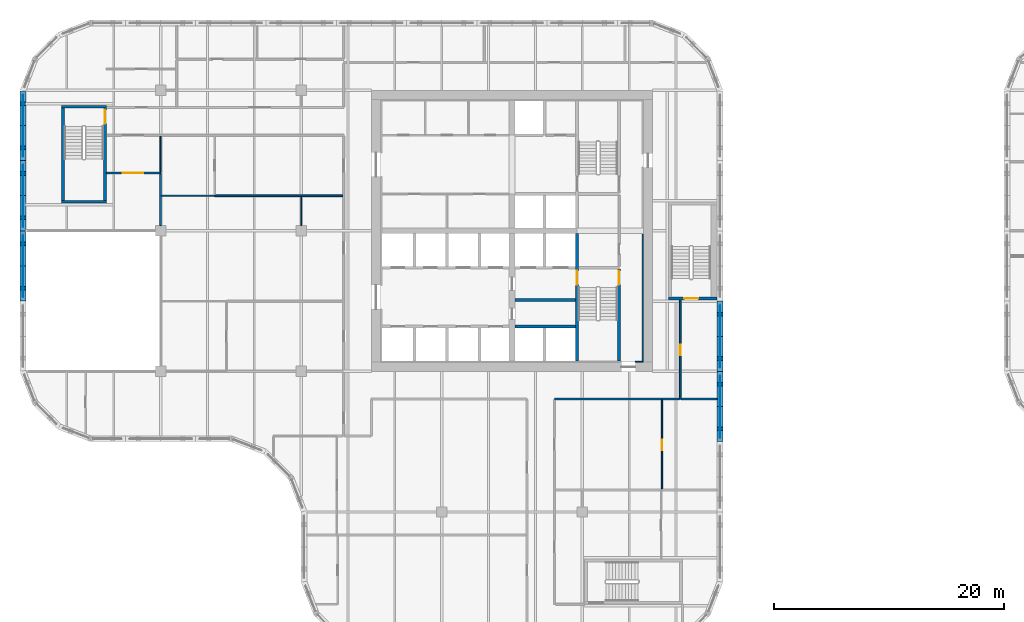
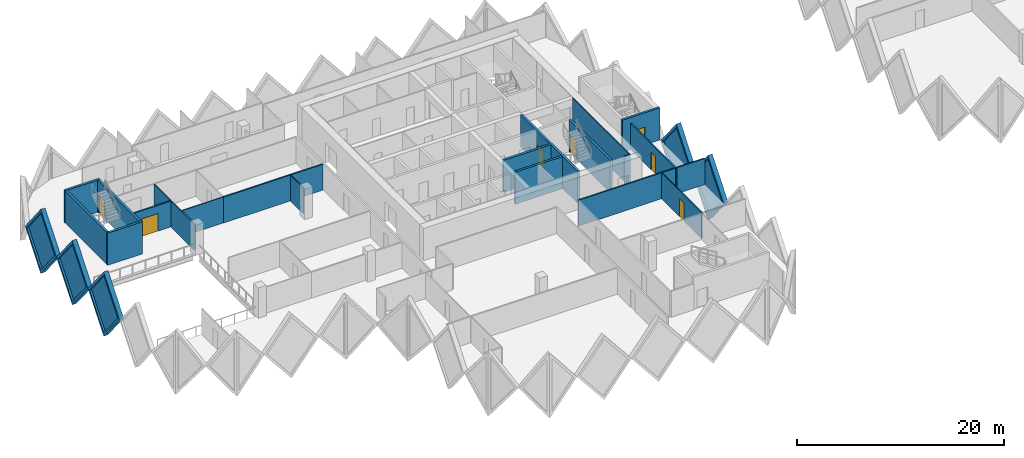
# One storey, part 7 of 19: 26 walls, 7 doors, 5 plates, 12 openings.
"""IFC4 building model written with IfcOpenShell, lengths in metres."""

from ifc_helpers import new_model, si_unit, direction, frame, frame_2d, origin, place, context, subcontext, project, spatial, polyline, rectangle, outline, extrude, faceted_brep, source, transform, mapped, material, layer, layer_set, type_object, element, fill, save


model = new_model("IFC4")

# Units and contexts
model_context = context("Model", 3, precision=1e-05, world=origin(), true_north=direction((0.0, 1.0)))
body_context = subcontext(model_context, "Body", "Model", "MODEL_VIEW")
ifc_project = project(units=[si_unit("LENGTHUNIT", "METRE"), si_unit("AREAUNIT", "SQUARE_METRE"), si_unit("VOLUMEUNIT", "CUBIC_METRE"), si_unit("PLANEANGLEUNIT", "RADIAN"), si_unit("MASSUNIT", "GRAM", prefix="KILO")], contexts=[model_context])

# Site, building, storey
site_placement = place(None, origin())
site = spatial("IfcSite", under=ifc_project, at=site_placement, CompositionType="ELEMENT")
building_placement = place(site_placement, origin())
building = spatial("IfcBuilding", under=site, at=building_placement, Name="Tessera Gate Towers", CompositionType="ELEMENT")
storey_placement = place(building_placement, frame((0.0, 0.0, 83.800048828125)))
storey = spatial("IfcBuildingStorey", under=building, at=storey_placement, Name="L20", CompositionType="ELEMENT", Elevation=83.800048828125)

# Wall, opening, door
ifc_material_1 = material(Name="Concrete C40/50", Category="concrete")
ifc_layer_1 = layer(ifc_material_1, 0.25)
ifc_layer_set_1 = layer_set([ifc_layer_1], Name="CORE ENCLOSURE WALL 250")
wall_type_1 = type_object("IfcWallType", Name="CORE ENCLOSURE WALL 250", PredefinedType="SOLIDWALL", material=ifc_layer_set_1)
wall_1_placement = place(storey_placement, frame((48.35009765625, 36.35009765625, 0.0), z_axis=(0.0, 0.0, 1.0), x_axis=(0.0, -1.0, 0.0)))
wall_1 = element("IfcWall", 1, at=wall_1_placement, inside=storey, type_object=wall_type_1, Name="L20 shaft and stair enclosure wall", PredefinedType="SOLIDWALL", context=body_context, shape_type="SweptSolid", body=[
    extrude(rectangle(XDim=11.050048828125, YDim=0.25, at=frame_2d((5.52490234375, 0.0))), origin(), (0.0, 0.0, 1.0), 3.800048828125),
])
shared_shape_1 = source(origin(), body_context, "Body", "SweptSolid", [
    extrude(rectangle(XDim=1.199951171875, YDim=2.10009765625, at=frame_2d((0.60009765625, 1.050048828125))), frame((0.0, 0.135009765625, 0.0), z_axis=(0.0, -1.0, 0.0), x_axis=(1.0, 0.0, 0.0)), (0.0, 0.0, 1.0), 0.27001953125),
])
opening_1_placement = place(wall_1_placement, frame((3.22509765625, 0.0, 0.0)))
opening_1 = element("IfcOpeningElement", 2, at=opening_1_placement, cuts=wall_1, Name="Opening SD-ST1-1", PredefinedType="OPENING", context=body_context, shape_type="MappedRepresentation", body=[
    mapped(shared_shape_1, transform((0.0, 0.0, 0.0), scale=1.0)),
])
ifc_material_2 = material(Name="Hollow steel fire door", Category="steel")
door_type_1 = type_object("IfcDoorType", Name="CORE DOOR SD 1200x2100", OperationType="NOTDEFINED", PredefinedType="DOOR", material=ifc_material_2)
shared_shape_2 = source(origin(), body_context, "Body", "SweptSolid", [
    extrude(rectangle(XDim=1.199951171875, YDim=2.10009765625, at=frame_2d((0.60009765625, 1.050048828125))), frame((0.0, 0.02490234375, 0.0), z_axis=(0.0, -1.0, 0.0), x_axis=(1.0, 0.0, 0.0)), (0.0, 0.0, 1.0), 0.050048828125),
])
door_1_placement = place(opening_1_placement, origin())
door_1 = element("IfcDoor", 3, at=door_1_placement, inside=storey, type_object=door_type_1, Name="Stair door", OperationType="SINGLE_SWING_LEFT", OverallHeight=2.10009765625, OverallWidth=1.199951171875, PredefinedType="DOOR", context=body_context, shape_type="MappedRepresentation", body=[
    mapped(shared_shape_2, transform((0.0, 0.0, 0.0), scale=1.0)),
])
fill(opening_1, door_1)

# Wall
wall_2_placement = place(storey_placement, frame((42.949951171875, 28.300048828125, 0.0), z_axis=(0.0, 0.0, 1.0), x_axis=(1.0, 0.0, 0.0)))
element("IfcWall", 4, at=wall_2_placement, inside=storey, type_object=wall_type_1, Name="L20 shaft and stair enclosure wall", PredefinedType="SOLIDWALL", context=body_context, shape_type="SweptSolid", body=[
    extrude(rectangle(XDim=5.275146484375, YDim=0.25, at=frame_2d((2.6376953125, 0.0))), origin(), (0.0, 0.0, 1.0), 3.800048828125),
])

# Wall, opening, door
wall_3_placement = place(storey_placement, frame((52.0, 25.300048828125, 0.0), z_axis=(0.0, 0.0, 1.0), x_axis=(0.0, 1.0, 0.0)))
wall_3 = element("IfcWall", 5, at=wall_3_placement, inside=storey, type_object=wall_type_1, Name="L20 shaft and stair enclosure wall", PredefinedType="SOLIDWALL", context=body_context, shape_type="SweptSolid", body=[
    extrude(rectangle(XDim=7.974853515625, YDim=0.25, at=frame_2d((3.9873046875, 0.0))), origin(), (0.0, 0.0, 1.0), 3.800048828125),
])
opening_2_placement = place(wall_3_placement, frame((6.625, 0.0, 0.0)))
opening_2 = element("IfcOpeningElement", 6, at=opening_2_placement, cuts=wall_3, Name="Opening SD-ST1-2", PredefinedType="OPENING", context=body_context, shape_type="MappedRepresentation", body=[
    mapped(shared_shape_1, transform((0.0, 0.0, 0.0), scale=1.0)),
])
door_2_placement = place(opening_2_placement, origin())
door_2 = element("IfcDoor", 7, at=door_2_placement, inside=storey, type_object=door_type_1, Name="Stair door", OperationType="SINGLE_SWING_RIGHT", OverallHeight=2.10009765625, OverallWidth=1.199951171875, PredefinedType="DOOR", context=body_context, shape_type="MappedRepresentation", body=[
    mapped(shared_shape_2, transform((0.0, 0.0, 0.0), scale=1.0)),
])
fill(opening_2, door_2)

# Walls
wall_4_placement = place(storey_placement, frame((42.949951171875, 30.60009765625, 0.0), z_axis=(0.0, 0.0, 1.0), x_axis=(1.0, 0.0, 0.0)))
element("IfcWall", 8, at=wall_4_placement, inside=storey, type_object=wall_type_1, Name="L20 shaft and stair enclosure wall", PredefinedType="SOLIDWALL", context=body_context, shape_type="SweptSolid", body=[
    extrude(rectangle(XDim=5.275146484375, YDim=0.25, at=frame_2d((2.6376953125, 0.0))), origin(), (0.0, 0.0, 1.0), 3.800048828125),
])
wall_5_placement = place(storey_placement, frame((7.5, 39.125, 0.0), z_axis=(0.0, 0.0, 1.0), x_axis=(-1.0, 0.0, 0.0)))
element("IfcWall", 9, at=wall_5_placement, inside=storey, type_object=wall_type_1, Name="L20 ST3 enclosure wall", PredefinedType="SOLIDWALL", context=body_context, shape_type="SweptSolid", body=[
    extrude(rectangle(XDim=3.89990234375, YDim=0.25, at=frame_2d((1.949951171875, 0.0))), origin(), (0.0, 0.0, 1.0), 3.800048828125),
])
wall_6_placement = place(storey_placement, frame((3.72509765625, 39.25, 0.0), z_axis=(0.0, 0.0, 1.0), x_axis=(0.0, 1.0, 0.0)))
element("IfcWall", 10, at=wall_6_placement, inside=storey, type_object=wall_type_1, Name="L20 ST3 enclosure wall", PredefinedType="SOLIDWALL", context=body_context, shape_type="SweptSolid", body=[
    extrude(rectangle(XDim=8.0, YDim=0.25, at=frame_2d((4.0, 0.0))), origin(), (0.0, 0.0, 1.0), 3.800048828125),
])
wall_7_placement = place(storey_placement, frame((3.60009765625, 47.375, 0.0), z_axis=(0.0, 0.0, 1.0), x_axis=(1.0, 0.0, 0.0)))
element("IfcWall", 11, at=wall_7_placement, inside=storey, type_object=wall_type_1, Name="L20 ST3 enclosure wall", PredefinedType="SOLIDWALL", context=body_context, shape_type="SweptSolid", body=[
    extrude(rectangle(XDim=3.89990234375, YDim=0.25, at=frame_2d((1.949951171875, 0.0))), origin(), (0.0, 0.0, 1.0), 3.800048828125),
])

# Wall, opening, door
wall_8_placement = place(storey_placement, frame((7.375, 47.25, 0.0), z_axis=(0.0, 0.0, 1.0), x_axis=(0.0, -1.0, 0.0)))
wall_8 = element("IfcWall", 12, at=wall_8_placement, inside=storey, type_object=wall_type_1, Name="L20 ST3 enclosure wall", PredefinedType="SOLIDWALL", context=body_context, shape_type="SweptSolid", body=[
    extrude(rectangle(XDim=8.0, YDim=0.25, at=frame_2d((4.0, 0.0))), origin(), (0.0, 0.0, 1.0), 3.800048828125),
])
opening_3_placement = place(wall_8_placement, frame((0.14990234375, 0.0, 0.0)))
opening_3 = element("IfcOpeningElement", 13, at=opening_3_placement, cuts=wall_8, Name="Opening SD-ST3-1", PredefinedType="OPENING", context=body_context, shape_type="MappedRepresentation", body=[
    mapped(shared_shape_1, transform((0.0, 0.0, 0.0), scale=1.0)),
])
door_3_placement = place(opening_3_placement, origin())
door_3 = element("IfcDoor", 14, at=door_3_placement, inside=storey, type_object=door_type_1, Name="Stair door", OperationType="SINGLE_SWING_LEFT", OverallHeight=2.10009765625, OverallWidth=1.199951171875, PredefinedType="DOOR", context=body_context, shape_type="MappedRepresentation", body=[
    mapped(shared_shape_2, transform((0.0, 0.0, 0.0), scale=1.0)),
])
fill(opening_3, door_3)

wall_9_placement = place(storey_placement, frame((60.5, 30.72509765625, 0.0), z_axis=(0.0, 0.0, 1.0), x_axis=(-1.0, 0.0, 0.0)))
wall_9 = element("IfcWall", 15, at=wall_9_placement, inside=storey, type_object=wall_type_1, Name="L20 ST5 enclosure wall", PredefinedType="SOLIDWALL", context=body_context, shape_type="SweptSolid", body=[
    extrude(rectangle(XDim=4.199951171875, YDim=0.25, at=frame_2d((2.10009765625, 0.0))), origin(), (0.0, 0.0, 1.0), 3.800048828125),
])
opening_4_placement = place(wall_9_placement, frame((1.64990234375, 0.0, 0.0)))
opening_4 = element("IfcOpeningElement", 16, at=opening_4_placement, cuts=wall_9, Name="Opening SD-ST5-1", PredefinedType="OPENING", context=body_context, shape_type="MappedRepresentation", body=[
    mapped(shared_shape_1, transform((0.0, 0.0, 0.0), scale=1.0)),
])
door_4_placement = place(opening_4_placement, origin())
door_4 = element("IfcDoor", 17, at=door_4_placement, inside=storey, type_object=door_type_1, Name="Stair door", OperationType="SINGLE_SWING_RIGHT", OverallHeight=2.10009765625, OverallWidth=1.199951171875, PredefinedType="DOOR", context=body_context, shape_type="MappedRepresentation", body=[
    mapped(shared_shape_2, transform((0.0, 0.0, 0.0), scale=1.0)),
])
fill(opening_4, door_4)

# Walls
ifc_material_3 = material(Name="Concrete C60/75", Category="concrete")
ifc_layer_2 = layer(ifc_material_3, 0.10009765625)
ifc_layer_set_2 = layer_set([ifc_layer_2], Name="CORE WALL THICKENING 100")
wall_type_2 = type_object("IfcWallType", Name="CORE WALL THICKENING 100", PredefinedType="SOLIDWALL", material=ifc_layer_set_2)
wall_10_placement = place(storey_placement, frame((53.39990234375, 25.25, 0.0), z_axis=(0.0, 0.0, 1.0), x_axis=(1.0, 0.0, 0.0)))
element("IfcWall", 18, at=wall_10_placement, inside=storey, type_object=wall_type_2, Name="Core wall thickening S L20", PredefinedType="SOLIDWALL", context=body_context, shape_type="SweptSolid", body=[
    extrude(rectangle(XDim=0.7001953125, YDim=0.10009765625, at=frame_2d((0.35009765625, 0.0))), origin(), (0.0, 0.0, 1.0), 3.800048828125),
])
wall_11_placement = place(storey_placement, frame((54.050048828125, 25.300048828125, 0.0), z_axis=(0.0, 0.0, 1.0), x_axis=(0.0, 1.0, 0.0)))
element("IfcWall", 19, at=wall_11_placement, inside=storey, type_object=wall_type_2, Name="Core wall thickening E L20", PredefinedType="SOLIDWALL", context=body_context, shape_type="SweptSolid", body=[
    extrude(rectangle(XDim=11.02001953125, YDim=0.10009765625, at=frame_2d((5.510009765625, 0.0))), origin(), (0.0, 0.0, 1.0), 3.800048828125),
])
ifc_material_4 = material(Name="Gypsum board on steel studs, mineral wool", Category="steel")
ifc_layer_3 = layer(ifc_material_4, 0.14990234375)
ifc_layer_set_3 = layer_set([ifc_layer_3], Name="CORRIDOR WALL 150")
wall_type_3 = type_object("IfcWallType", Name="CORRIDOR WALL 150", PredefinedType="PARTITIONING", material=ifc_layer_set_3)
wall_12_placement = place(storey_placement, frame((46.39990234375, 22.0, 0.0), z_axis=(0.0, 0.0, 1.0), x_axis=(1.0, 0.0, 0.0)))
element("IfcWall", 20, at=wall_12_placement, inside=storey, type_object=wall_type_3, Name="T1-L20-PW-023", PredefinedType="PARTITIONING", context=body_context, shape_type="SweptSolid", body=[
    extrude(rectangle(XDim=10.82421875, YDim=0.14990234375, at=frame_2d((5.412109375, 0.0))), origin(), (0.0, 0.0, 1.0), 3.06689453125),
])

# Wall, opening, door
wall_13_placement = place(storey_placement, frame((57.300048828125, 30.60009765625, 0.0), z_axis=(0.0, 0.0, 1.0), x_axis=(0.0, -1.0, 0.0)))
wall_13 = element("IfcWall", 21, at=wall_13_placement, inside=storey, type_object=wall_type_3, Name="T1-L20-PW-024", PredefinedType="PARTITIONING", context=body_context, shape_type="SweptSolid", body=[
    extrude(rectangle(XDim=8.60009765625, YDim=0.14990234375, at=frame_2d((4.300048828125, 0.0))), origin(), (0.0, 0.0, 1.0), 3.06689453125),
])
shared_shape_3 = source(origin(), body_context, "Body", "SweptSolid", [
    extrude(rectangle(XDim=0.89990234375, YDim=2.10009765625, at=frame_2d((0.449951171875, 1.050048828125))), frame((0.0, 0.0849609375, 0.0), z_axis=(0.0, -1.0, 0.0), x_axis=(1.0, 0.0, 0.0)), (0.0, 0.0, 1.0), 0.169921875),
])
opening_5_placement = place(wall_13_placement, frame((3.89990234375, 0.0, 0.0)))
opening_5 = element("IfcOpeningElement", 22, at=opening_5_placement, cuts=wall_13, Name="Opening D890FD60-A07-07", PredefinedType="OPENING", context=body_context, shape_type="MappedRepresentation", body=[
    mapped(shared_shape_3, transform((0.0, 0.0, 0.0), scale=1.0)),
])
ifc_material_5 = material(Name="Timber door leaf in steel frame", Category="steel")
door_type_2 = type_object("IfcDoorType", Name="CORRIDOR DOOR 900 FD60", OperationType="NOTDEFINED", PredefinedType="DOOR", material=ifc_material_5)
shared_shape_4 = source(origin(), body_context, "Body", "SweptSolid", [
    extrude(rectangle(XDim=0.89990234375, YDim=2.10009765625, at=frame_2d((0.449951171875, 1.050048828125))), frame((0.0, 0.02490234375, 0.0), z_axis=(0.0, -1.0, 0.0), x_axis=(1.0, 0.0, 0.0)), (0.0, 0.0, 1.0), 0.050048828125),
])
door_5_placement = place(opening_5_placement, origin())
door_5 = element("IfcDoor", 23, at=door_5_placement, inside=storey, type_object=door_type_2, Name="T1-L20-PD-020", OperationType="SINGLE_SWING_RIGHT", OverallHeight=2.10009765625, OverallWidth=0.89990234375, PredefinedType="DOOR", context=body_context, shape_type="MappedRepresentation", body=[
    mapped(shared_shape_4, transform((0.0, 0.0, 0.0), scale=1.0)),
])
fill(opening_5, door_5)

ifc_material_6 = material(Name="Glass", Category="glass")
ifc_layer_4 = layer(ifc_material_6, 0.10009765625)
ifc_layer_set_4 = layer_set([ifc_layer_4], Name="GLAZED PARTITION 100")
wall_type_4 = type_object("IfcWallType", Name="GLAZED PARTITION 100", PredefinedType="PARTITIONING", material=ifc_layer_set_4)
wall_14_placement = place(storey_placement, frame((55.715087890625, 21.924072265625, 0.0), z_axis=(0.0, 0.0, 1.0), x_axis=(0.0, -1.0, 0.0)))
wall_14 = element("IfcWall", 24, at=wall_14_placement, inside=storey, type_object=wall_type_4, Name="T1-L20-PW-014", PredefinedType="PARTITIONING", context=body_context, shape_type="SweptSolid", body=[
    extrude(rectangle(XDim=7.748046875, YDim=0.10009765625, at=frame_2d((3.8740234375, 0.0))), origin(), (0.0, 0.0, 1.0), 3.06689453125),
])
shared_shape_5 = source(origin(), body_context, "Body", "SweptSolid", [
    extrude(rectangle(XDim=0.89990234375, YDim=2.10009765625, at=frame_2d((0.449951171875, 1.050048828125))), frame((0.0, 0.06005859375, 0.0), z_axis=(0.0, -1.0, 0.0), x_axis=(1.0, 0.0, 0.0)), (0.0, 0.0, 1.0), 0.1201171875),
])
opening_6_placement = place(wall_14_placement, frame((3.447998046875, 0.0, 0.0)))
opening_6 = element("IfcOpeningElement", 25, at=opening_6_placement, cuts=wall_14, Name="Opening D690-A07-06", PredefinedType="OPENING", context=body_context, shape_type="MappedRepresentation", body=[
    mapped(shared_shape_5, transform((0.0, 0.0, 0.0), scale=1.0)),
])
ifc_material_7 = material(Name="Glass in aluminium frame", Category="aluminium")
door_type_3 = type_object("IfcDoorType", Name="GLAZED DOOR 900 NOT RATED", OperationType="NOTDEFINED", PredefinedType="DOOR", material=ifc_material_7)
door_6_placement = place(opening_6_placement, origin())
door_6 = element("IfcDoor", 26, at=door_6_placement, inside=storey, type_object=door_type_3, Name="T1-L20-PD-016", OperationType="SINGLE_SWING_RIGHT", OverallHeight=2.10009765625, OverallWidth=0.89990234375, PredefinedType="DOOR", context=body_context, shape_type="MappedRepresentation", body=[
    mapped(shared_shape_4, transform((0.0, 0.0, 0.0), scale=1.0)),
])
fill(opening_6, door_6)

# Walls
wall_15_placement = place(storey_placement, frame((12.27587890625, 39.64990234375, 0.0), z_axis=(0.0, 0.0, 1.0), x_axis=(1.0, 0.0, 0.0)))
element("IfcWall", 27, at=wall_15_placement, inside=storey, type_object=wall_type_4, Name="T1-L20-PW-034", PredefinedType="PARTITIONING", context=body_context, shape_type="SweptSolid", body=[
    extrude(rectangle(XDim=4.623046875, YDim=0.10009765625, at=frame_2d((2.3115234375, 0.0))), origin(), (0.0, 0.0, 1.0), 3.06689453125),
])
wall_16_placement = place(storey_placement, frame((12.199951171875, 41.700927734375, 0.0), z_axis=(0.0, 0.0, 1.0), x_axis=(0.0, 1.0, 0.0)))
element("IfcWall", 28, at=wall_16_placement, inside=storey, type_object=wall_type_4, Name="T1-L20-PW-038", PredefinedType="PARTITIONING", context=body_context, shape_type="SweptSolid", body=[
    extrude(rectangle(XDim=3.123046875, YDim=0.10009765625, at=frame_2d((1.5615234375, 0.0))), origin(), (0.0, 0.0, 1.0), 3.06689453125),
])
ifc_material_8 = material(Name="Gypsum board on steel studs", Category="steel")
ifc_layer_5 = layer(ifc_material_8, 0.10009765625)
ifc_layer_set_5 = layer_set([ifc_layer_5], Name="PARTITION 100")
wall_type_5 = type_object("IfcWallType", Name="PARTITION 100", PredefinedType="PARTITIONING", material=ifc_layer_set_5)
wall_17_placement = place(storey_placement, frame((24.39990234375, 37.050048828125, 0.0), z_axis=(0.0, 0.0, 1.0), x_axis=(0.0, 1.0, 0.0)))
element("IfcWall", 29, at=wall_17_placement, inside=storey, type_object=wall_type_5, Name="T1-L20-PW-033", PredefinedType="PARTITIONING", context=body_context, shape_type="SweptSolid", body=[
    extrude(rectangle(XDim=2.52490234375, YDim=0.10009765625, at=frame_2d((1.262451171875, 0.0))), origin(), (0.0, 0.0, 1.0), 3.06689453125),
])
ifc_material_9 = material(Name="Gypsum board on steel studs, mineral wool", Category="steel")
ifc_layer_6 = layer(ifc_material_9, 0.14990234375)
ifc_layer_set_6 = layer_set([ifc_layer_6], Name="TENANCY WALL 150")
wall_type_6 = type_object("IfcWallType", Name="TENANCY WALL 150", PredefinedType="PARTITIONING", material=ifc_layer_set_6)
wall_18_placement = place(storey_placement, frame((57.3759765625, 22.0, 0.0), z_axis=(0.0, 0.0, 1.0), x_axis=(1.0, 0.0, 0.0)))
element("IfcWall", 30, at=wall_18_placement, inside=storey, type_object=wall_type_6, Name="T1-L20-PW-025", PredefinedType="PARTITIONING", context=body_context, shape_type="SweptSolid", body=[
    extrude(rectangle(XDim=3.1240234375, YDim=0.14990234375, at=frame_2d((1.56201171875, 0.0))), origin(), (0.0, 0.0, 1.0), 3.06689453125),
])
wall_19_placement = place(storey_placement, frame((12.199951171875, 37.051025390625, 0.0), z_axis=(0.0, 0.0, 1.0), x_axis=(0.0, 1.0, 0.0)))
element("IfcWall", 31, at=wall_19_placement, inside=storey, type_object=wall_type_6, Name="T1-L20-PW-032", PredefinedType="PARTITIONING", context=body_context, shape_type="SweptSolid", body=[
    extrude(rectangle(XDim=4.498046875, YDim=0.14990234375, at=frame_2d((2.2490234375, 0.0))), origin(), (0.0, 0.0, 1.0), 3.06689453125),
])
wall_20_placement = place(storey_placement, frame((16.89990234375, 39.64990234375, 0.0), z_axis=(0.0, 0.0, 1.0), x_axis=(1.0, 0.0, 0.0)))
element("IfcWall", 32, at=wall_20_placement, inside=storey, type_object=wall_type_6, Name="T1-L20-PW-035", PredefinedType="PARTITIONING", context=body_context, shape_type="SweptSolid", body=[
    extrude(rectangle(XDim=11.1240234375, YDim=0.14990234375, at=frame_2d((5.56201171875, 0.0))), origin(), (0.0, 0.0, 1.0), 3.06689453125),
])

# Wall, opening, door
wall_21_placement = place(storey_placement, frame((12.199951171875, 41.625, 0.0), z_axis=(0.0, 0.0, 1.0), x_axis=(-1.0, 0.0, 0.0)))
wall_21 = element("IfcWall", 33, at=wall_21_placement, inside=storey, type_object=wall_type_6, Name="T1-L20-PW-037", PredefinedType="PARTITIONING", context=body_context, shape_type="SweptSolid", body=[
    extrude(rectangle(XDim=4.699951171875, YDim=0.14990234375, at=frame_2d((2.35009765625, 0.0))), origin(), (0.0, 0.0, 1.0), 3.06689453125),
])
shared_shape_6 = source(origin(), body_context, "Body", "SweptSolid", [
    extrude(rectangle(XDim=1.800048828125, YDim=2.10009765625, at=frame_2d((0.89990234375, 1.050048828125))), frame((0.0, 0.0849609375, 0.0), z_axis=(0.0, -1.0, 0.0), x_axis=(1.0, 0.0, 0.0)), (0.0, 0.0, 1.0), 0.169921875),
])
opening_7_placement = place(wall_21_placement, frame((1.5, 0.0, 0.0)))
opening_7 = element("IfcOpeningElement", 34, at=opening_7_placement, cuts=wall_21, Name="Opening D7180-A07-01", PredefinedType="OPENING", context=body_context, shape_type="MappedRepresentation", body=[
    mapped(shared_shape_6, transform((0.0, 0.0, 0.0), scale=1.0)),
])
ifc_material_10 = material(Name="Timber door leaf in steel frame", Category="steel")
door_type_4 = type_object("IfcDoorType", Name="DOUBLE DOOR 1800 NOT RATED", OperationType="NOTDEFINED", PredefinedType="DOOR", material=ifc_material_10)
shared_shape_7 = source(origin(), body_context, "Body", "SweptSolid", [
    extrude(rectangle(XDim=1.800048828125, YDim=2.10009765625, at=frame_2d((0.89990234375, 1.050048828125))), frame((0.0, 0.02490234375, 0.0), z_axis=(0.0, -1.0, 0.0), x_axis=(1.0, 0.0, 0.0)), (0.0, 0.0, 1.0), 0.050048828125),
])
door_7_placement = place(opening_7_placement, origin())
door_7 = element("IfcDoor", 35, at=door_7_placement, inside=storey, type_object=door_type_4, Name="T1-L20-PD-003", OperationType="DOUBLE_DOOR_SINGLE_SWING", OverallHeight=2.10009765625, OverallWidth=1.800048828125, PredefinedType="DOOR", context=body_context, shape_type="MappedRepresentation", body=[
    mapped(shared_shape_7, transform((0.0, 0.0, 0.0), scale=1.0)),
])
fill(opening_7, door_7)

# Wall, opening, plate
ifc_material_11 = material(Name="Precast concrete C60/75 white", Category="concrete")
ifc_layer_7 = layer(ifc_material_11, 0.5)
ifc_layer_set_7 = layer_set([ifc_layer_7], Name="TS1 tessera")
wall_type_7 = type_object("IfcWallType", Name="TS1 tessera", PredefinedType="SOLIDWALL", material=ifc_layer_set_7)
shared_shape_8 = source(origin(), body_context, "Body", "Brep", [
    faceted_brep([(3.00341796875, -0.25, 0.0), (6.053466796875, -0.25, 3.800048828125), (3.00341796875, -0.25, 7.60009765625), (0.0, -0.25, 3.800048828125), (0.046630859375, 0.25, 3.85888671875), (3.00341796875, 0.25, 7.60009765625), (6.053466796875, 0.25, 3.800048828125), (3.00341796875, 0.25, 0.0), (0.046630859375, 0.25, 3.7412109375), (0.0, 0.0, 3.800048828125)], [[[0, 1, 2, 3]], [[4, 5, 6, 7, 8]], [[7, 6, 1, 0]], [[6, 5, 2, 1]], [[5, 4, 9, 3, 2]], [[8, 7, 0, 3, 9]], [[8, 9, 4]]]),
])
wall_22_placement = place(storey_placement, frame((0.25, 48.75341796875, -3.800048828125), z_axis=(0.0, 0.0, 1.0), x_axis=(0.0, -1.0, 0.0)))
wall_22 = element("IfcWall", 36, at=wall_22_placement, inside=storey, type_object=wall_type_7, Name="Precast tessera T1 TS1-0316", PredefinedType="SOLIDWALL", context=body_context, shape_type="MappedRepresentation", body=[
    mapped(shared_shape_8, transform((0.0, 0.0, 0.0), scale=1.0)),
])
shared_shape_9 = source(origin(), body_context, "Body", "SweptSolid", [
    extrude(outline(polyline([(3.0048828125, 0.4013671875), (5.73291015625, 3.800048828125), (3.0048828125, 7.19873046875), (0.318603515625, 3.800048828125), (3.0048828125, 0.4013671875)])), frame((0.0, 0.260009765625, 0.0), z_axis=(0.0, -1.0, 0.0), x_axis=(1.0, 0.0, 0.0)), (0.0, 0.0, 1.0), 0.52001953125),
])
opening_8_placement = place(wall_22_placement, origin())
opening_8 = element("IfcOpeningElement", 37, at=opening_8_placement, cuts=wall_22, Name="Opening T1-PL2-0642", PredefinedType="OPENING", context=body_context, shape_type="MappedRepresentation", body=[
    mapped(shared_shape_9, transform((0.0, 0.0, 0.0), scale=1.0)),
])
ifc_material_12 = material(Name="Low-e laminated glass", Category="glass")
ifc_layer_8 = layer(ifc_material_12, 0.06005859375)
ifc_layer_set_8 = layer_set([ifc_layer_8], Name="PL2 rhombic pane")
plate_type = type_object("IfcPlateType", Name="PL2 rhombic pane", PredefinedType="SHEET", material=ifc_layer_set_8)
shared_shape_10 = source(origin(), body_context, "Body", "SweptSolid", [
    extrude(outline(polyline([(3.0048828125, 0.4013671875), (5.73291015625, 3.800048828125), (3.0048828125, 7.19873046875), (0.318603515625, 3.800048828125), (3.0048828125, 0.4013671875)])), frame((0.0, 0.030029296875, 0.0), z_axis=(0.0, -1.0, 0.0), x_axis=(1.0, 0.0, 0.0)), (0.0, 0.0, 1.0), 0.06005859375),
])
plate_1_placement = place(opening_8_placement, origin())
plate_1 = element("IfcPlate", 38, at=plate_1_placement, inside=storey, type_object=plate_type, Name="Glass pane T1 PL2-0642", PredefinedType="SHEET", context=body_context, shape_type="MappedRepresentation", body=[
    mapped(shared_shape_10, transform((0.0, 0.0, 0.0), scale=1.0)),
])
fill(opening_8, plate_1)

shared_shape_11 = source(origin(), body_context, "Body", "Brep", [
    faceted_brep([(3.050048828125, -0.25, 0.0), (6.099853515625, -0.25, 3.7998046875), (6.099853515625, -0.25, 3.80029296875), (3.050048828125, -0.25, 7.60009765625), (0.0, -0.25, 3.800048828125), (0.0, 0.25, 3.800048828125), (3.050048828125, 0.25, 7.60009765625), (6.099853515625, 0.25, 3.80029296875), (6.099853515625, 0.25, 3.7998046875), (3.050048828125, 0.25, 0.0)], [[[0, 1, 2, 3, 4]], [[5, 6, 7, 8, 9]], [[9, 8, 1, 0]], [[7, 6, 3, 2]], [[6, 5, 4, 3]], [[5, 9, 0, 4]], [[1, 8, 7, 2]]]),
])
wall_23_placement = place(storey_placement, frame((60.75, 18.300048828125, -3.800048828125), z_axis=(0.0, 0.0, 1.0), x_axis=(0.0, 1.0, 0.0)))
wall_23 = element("IfcWall", 39, at=wall_23_placement, inside=storey, type_object=wall_type_7, Name="Precast tessera T1 TS1-0304", PredefinedType="SOLIDWALL", context=body_context, shape_type="MappedRepresentation", body=[
    mapped(shared_shape_11, transform((0.0, 0.0, 0.0), scale=1.0)),
])
shared_shape_12 = source(origin(), body_context, "Body", "SweptSolid", [
    extrude(outline(polyline([(3.050048828125, 0.3994140625), (5.779541015625, 3.800048828125), (3.050048828125, 7.20068359375), (0.320556640625, 3.800048828125), (3.050048828125, 0.3994140625)])), frame((0.0, 0.260009765625, 0.0), z_axis=(0.0, -1.0, 0.0), x_axis=(1.0, 0.0, 0.0)), (0.0, 0.0, 1.0), 0.52001953125),
])
opening_9_placement = place(wall_23_placement, origin())
opening_9 = element("IfcOpeningElement", 40, at=opening_9_placement, cuts=wall_23, Name="Opening T1-PL2-0622", PredefinedType="OPENING", context=body_context, shape_type="MappedRepresentation", body=[
    mapped(shared_shape_12, transform((0.0, 0.0, 0.0), scale=1.0)),
])
shared_shape_13 = source(origin(), body_context, "Body", "SweptSolid", [
    extrude(outline(polyline([(3.050048828125, 0.3994140625), (5.779541015625, 3.800048828125), (3.050048828125, 7.20068359375), (0.320556640625, 3.800048828125), (3.050048828125, 0.3994140625)])), frame((0.0, 0.030029296875, 0.0), z_axis=(0.0, -1.0, 0.0), x_axis=(1.0, 0.0, 0.0)), (0.0, 0.0, 1.0), 0.06005859375),
])
plate_2_placement = place(opening_9_placement, origin())
plate_2 = element("IfcPlate", 41, at=plate_2_placement, inside=storey, type_object=plate_type, Name="Glass pane T1 PL2-0622", PredefinedType="SHEET", context=body_context, shape_type="MappedRepresentation", body=[
    mapped(shared_shape_13, transform((0.0, 0.0, 0.0), scale=1.0)),
])
fill(opening_9, plate_2)

wall_24_placement = place(storey_placement, frame((0.25, 42.699951171875, -3.800048828125), z_axis=(0.0, 0.0, 1.0), x_axis=(0.0, -1.0, 0.0)))
wall_24 = element("IfcWall", 42, at=wall_24_placement, inside=storey, type_object=wall_type_7, Name="Precast tessera T1 TS1-0317", PredefinedType="SOLIDWALL", context=body_context, shape_type="MappedRepresentation", body=[
    mapped(shared_shape_11, transform((0.0, 0.0, 0.0), scale=1.0)),
])
opening_10_placement = place(wall_24_placement, origin())
opening_10 = element("IfcOpeningElement", 43, at=opening_10_placement, cuts=wall_24, Name="Opening T1-PL2-0643", PredefinedType="OPENING", context=body_context, shape_type="MappedRepresentation", body=[
    mapped(shared_shape_12, transform((0.0, 0.0, 0.0), scale=1.0)),
])
plate_3_placement = place(opening_10_placement, origin())
plate_3 = element("IfcPlate", 44, at=plate_3_placement, inside=storey, type_object=plate_type, Name="Glass pane T1 PL2-0643", PredefinedType="SHEET", context=body_context, shape_type="MappedRepresentation", body=[
    mapped(shared_shape_13, transform((0.0, 0.0, 0.0), scale=1.0)),
])
fill(opening_10, plate_3)

shared_shape_14 = source(origin(), body_context, "Body", "SweptSolid", [
    extrude(outline(polyline([(3.050048828125, 0.0), (6.10009765625, 3.800048828125), (3.050048828125, 7.60009765625), (0.0, 3.800048828125), (3.050048828125, 0.0)])), frame((0.0, 0.25, 0.0), z_axis=(0.0, -1.0, 0.0), x_axis=(1.0, 0.0, 0.0)), (0.0, 0.0, 1.0), 0.5),
])
wall_25_placement = place(storey_placement, frame((60.75, 24.39990234375, -3.800048828125), z_axis=(0.0, 0.0, 1.0), x_axis=(0.0, 1.0, 0.0)))
wall_25 = element("IfcWall", 45, at=wall_25_placement, inside=storey, type_object=wall_type_7, Name="Precast tessera T1 TS1-0305", PredefinedType="SOLIDWALL", context=body_context, shape_type="MappedRepresentation", body=[
    mapped(shared_shape_14, transform((0.0, 0.0, 0.0), scale=1.0)),
])
opening_11_placement = place(wall_25_placement, origin())
opening_11 = element("IfcOpeningElement", 46, at=opening_11_placement, cuts=wall_25, Name="Opening T1-PL2-0623", PredefinedType="OPENING", context=body_context, shape_type="MappedRepresentation", body=[
    mapped(shared_shape_12, transform((0.0, 0.0, 0.0), scale=1.0)),
])
plate_4_placement = place(opening_11_placement, origin())
plate_4 = element("IfcPlate", 47, at=plate_4_placement, inside=storey, type_object=plate_type, Name="Glass pane T1 PL2-0623", PredefinedType="SHEET", context=body_context, shape_type="MappedRepresentation", body=[
    mapped(shared_shape_13, transform((0.0, 0.0, 0.0), scale=1.0)),
])
fill(opening_11, plate_4)

wall_26_placement = place(storey_placement, frame((0.25, 36.60009765625, -3.800048828125), z_axis=(0.0, 0.0, 1.0), x_axis=(0.0, -1.0, 0.0)))
wall_26 = element("IfcWall", 48, at=wall_26_placement, inside=storey, type_object=wall_type_7, Name="Precast tessera T1 TS1-0318", PredefinedType="SOLIDWALL", context=body_context, shape_type="MappedRepresentation", body=[
    mapped(shared_shape_14, transform((0.0, 0.0, 0.0), scale=1.0)),
])
opening_12_placement = place(wall_26_placement, origin())
opening_12 = element("IfcOpeningElement", 49, at=opening_12_placement, cuts=wall_26, Name="Opening T1-PL2-0644", PredefinedType="OPENING", context=body_context, shape_type="MappedRepresentation", body=[
    mapped(shared_shape_12, transform((0.0, 0.0, 0.0), scale=1.0)),
])
plate_5_placement = place(opening_12_placement, origin())
plate_5 = element("IfcPlate", 50, at=plate_5_placement, inside=storey, type_object=plate_type, Name="Glass pane T1 PL2-0644", PredefinedType="SHEET", context=body_context, shape_type="MappedRepresentation", body=[
    mapped(shared_shape_13, transform((0.0, 0.0, 0.0), scale=1.0)),
])
fill(opening_12, plate_5)

save(model, "model.ifc")
